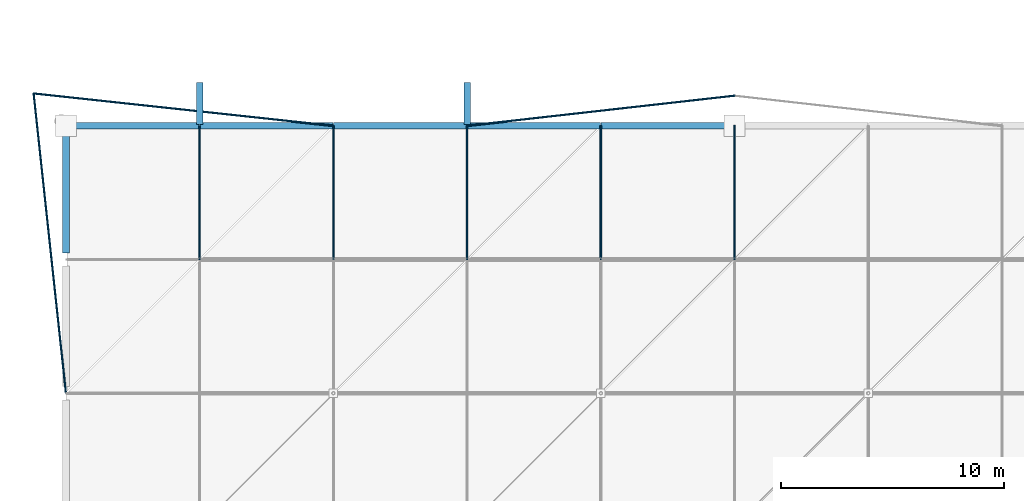
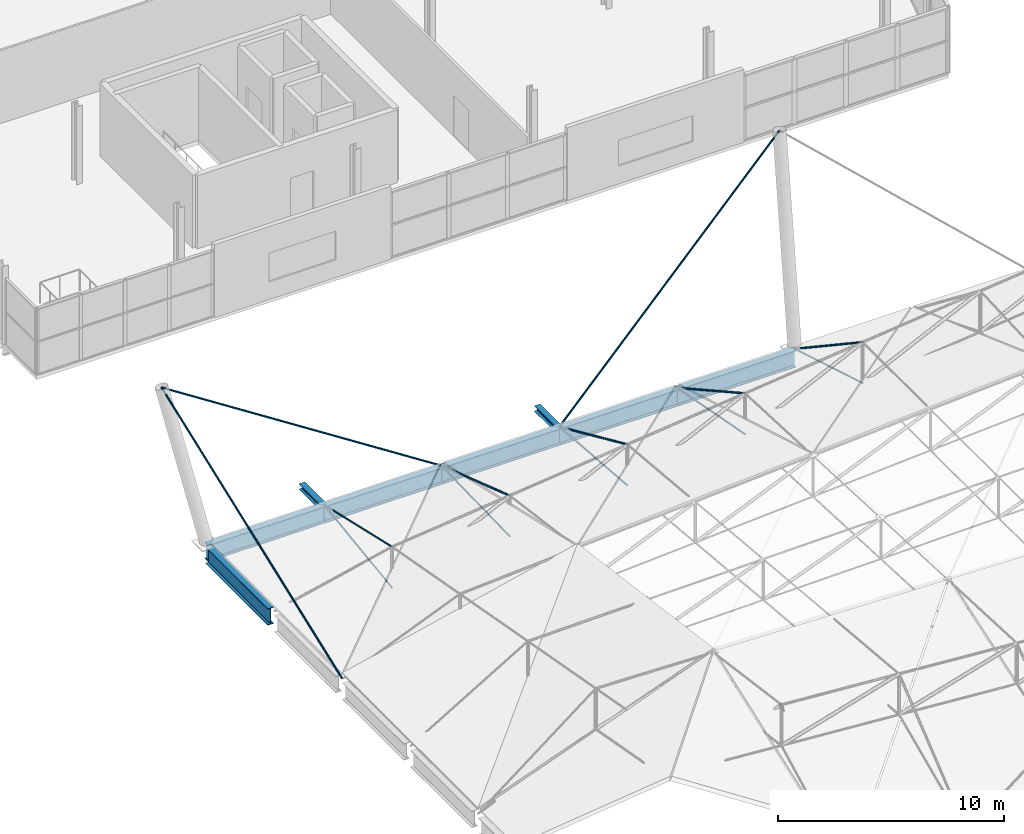
# One storey, part 43 of 132: 13 members, 8 beams.
"""IFC4 building model written with IfcOpenShell, lengths in metres."""

from ifc_helpers import new_model, si_unit, direction, frame, origin, origin_2d, place, context, subcontext, project, spatial, circle, i_section, extrude, material, material_profile, profile_set, type_object, element, save


model = new_model("IFC4")

# Units and contexts
model_context = context("Model", 3, precision=1e-05, world=origin(), true_north=direction((0.0, 1.0)))
body_context = subcontext(model_context, "Body", "Model", "MODEL_VIEW")
ifc_project = project(units=[si_unit("LENGTHUNIT", "METRE"), si_unit("AREAUNIT", "SQUARE_METRE"), si_unit("VOLUMEUNIT", "CUBIC_METRE"), si_unit("PLANEANGLEUNIT", "RADIAN"), si_unit("MASSUNIT", "GRAM", prefix="KILO")], contexts=[model_context])

# Site, building, storey
site_placement = place(None, origin())
site = spatial("IfcSite", under=ifc_project, at=site_placement, CompositionType="ELEMENT")
building_placement = place(site_placement, origin())
building = spatial("IfcBuilding", under=site, at=building_placement, Name="Deido Ridge Mobility Hub", CompositionType="ELEMENT")
storey_placement = place(building_placement, frame((0.0, 0.0, 8.39990234375)))
storey = spatial("IfcBuildingStorey", under=building, at=storey_placement, Name="L02", CompositionType="ELEMENT", Elevation=8.39990234375)

# Beams
ifc_material_1 = material(Name="Steel S355J2 EN 10025-2", Category="steel")
ifc_material_profile_1 = material_profile(ifc_material_1, i_section(OverallWidth=0.300048828125, OverallDepth=0.89990234375, WebThickness=0.0185546875, FlangeThickness=0.034912109375, FilletRadius=0.027099609375, at=origin_2d()), Name="HEB 900")
ifc_profile_set_1 = profile_set([ifc_material_profile_1], Name="Steel S355J2 EN 10025-2")
beam_type_1 = type_object("IfcBeamType", Name="BM-RING-HEB900", PredefinedType="USERDEFINED", material=ifc_profile_set_1)
beam_1_placement = place(storey_placement, frame((0.014892578125, 36.0, -0.449951171875), z_axis=(1.0, 0.0, 0.0), x_axis=(0.0, 1.0, 0.0)))
element("IfcBeam", 1, at=beam_1_placement, inside=storey, type_object=beam_type_1, Name="Compression ring beam RB1", ObjectType="RING BEAM", PredefinedType="USERDEFINED", context=body_context, shape_type="SweptSolid", body=[
    extrude(i_section(OverallWidth=0.300048828125, OverallDepth=0.89990234375, WebThickness=0.0185546875, FlangeThickness=0.034912109375, FilletRadius=0.027099609375, at=origin_2d()), origin(), (0.0, 0.0, 1.0), 5.97705078125),
])
for number, where, z_axis, x_axis, name in (
    (2, (6.008056640625, 36.0, -0.449951171875), (1.0, 0.0, 0.0), (0.0, 1.0, 0.0), "Compression ring beam RB1"),
    (3, (12.008056640625, 36.0, -0.449951171875), (1.0, 0.0, 0.0), (0.0, 1.0, 0.0), "Compression ring beam RB1"),
    (4, (18.008056640625, 36.0, -0.449951171875), (1.0, 0.0, 0.0), (0.0, 1.0, 0.0), "Compression ring beam RB1"),
):
    element("IfcBeam", number, at=place(storey_placement, frame(where, z_axis=z_axis, x_axis=x_axis)), inside=storey, type_object=beam_type_1, Name=name, ObjectType="RING BEAM", PredefinedType="USERDEFINED", context=body_context, shape_type="SweptSolid", body=[
        extrude(i_section(OverallWidth=0.300048828125, OverallDepth=0.89990234375, WebThickness=0.0185546875, FlangeThickness=0.034912109375, FilletRadius=0.027099609375, at=origin_2d()), origin(), (0.0, 0.0, 1.0), 5.98388671875),
    ])
beam_2_placement = place(storey_placement, frame((24.008056640625, 36.0, -0.449951171875), z_axis=(1.0, 0.0, 0.0), x_axis=(0.0, 1.0, 0.0)))
element("IfcBeam", 5, at=beam_2_placement, inside=storey, type_object=beam_type_1, Name="Compression ring beam RB1", ObjectType="RING BEAM", PredefinedType="USERDEFINED", context=body_context, shape_type="SweptSolid", body=[
    extrude(i_section(OverallWidth=0.300048828125, OverallDepth=0.89990234375, WebThickness=0.0185546875, FlangeThickness=0.034912109375, FilletRadius=0.027099609375, at=origin_2d()), origin(), (0.0, 0.0, 1.0), 5.97705078125),
])
beam_3_placement = place(storey_placement, frame((0.0, 30.300048828125, -0.449951171875), z_axis=(0.0, 1.0, 0.0), x_axis=(-1.0, 0.0, 0.0)))
element("IfcBeam", 6, at=beam_3_placement, inside=storey, type_object=beam_type_1, Name="Compression ring beam RB1", ObjectType="RING BEAM", PredefinedType="USERDEFINED", context=body_context, shape_type="SweptSolid", body=[
    extrude(i_section(OverallWidth=0.300048828125, OverallDepth=0.89990234375, WebThickness=0.0185546875, FlangeThickness=0.034912109375, FilletRadius=0.027099609375, at=origin_2d()), origin(), (0.0, 0.0, 1.0), 5.5),
])

# Members
ifc_material_2 = material(Name="Steel S460M EN 10025-4", Category="steel")
ifc_material_profile_2 = material_profile(ifc_material_2, circle(Radius=0.030029296875, at=origin_2d()), Name="CABLE D60")
ifc_profile_set_2 = profile_set([ifc_material_profile_2], Name="Steel S460M EN 10025-4")
member_type_1 = type_object("IfcMemberType", Name="MEM-CBL-D60", PredefinedType="USERDEFINED", material=ifc_profile_set_2)
member_1_placement = place(storey_placement, frame((6.0, 30.0, -0.82666015625), z_axis=(0.0, 0.990641813447, 0.136487352715), x_axis=(-1.0, 0.0, 0.0)))
element("IfcMember", 7, at=member_1_placement, inside=storey, type_object=member_type_1, Name="Saddle transverse valley cable CB3", ObjectType="TENSION CABLE", PredefinedType="USERDEFINED", context=body_context, shape_type="SweptSolid", body=[
    extrude(circle(Radius=0.030029296875, at=origin_2d()), origin(), (0.0, 0.0, 1.0), 6.056640625),
])
member_2_placement = place(storey_placement, frame((12.0, 30.0, -0.169921875), z_axis=(0.0, 0.999599221014, 0.028308962314), x_axis=(-1.0, 0.0, 0.0)))
element("IfcMember", 8, at=member_2_placement, inside=storey, type_object=member_type_1, Name="Saddle transverse valley cable CB3", ObjectType="TENSION CABLE", PredefinedType="USERDEFINED", context=body_context, shape_type="SweptSolid", body=[
    extrude(circle(Radius=0.030029296875, at=origin_2d()), origin(), (0.0, 0.0, 1.0), 6.00244140625),
])
member_3_placement = place(storey_placement, frame((18.0, 30.0, 0.48681640625), z_axis=(0.0, 0.996724631878, -0.080870317219), x_axis=(-1.0, 0.0, 0.0)))
element("IfcMember", 9, at=member_3_placement, inside=storey, type_object=member_type_1, Name="Saddle transverse valley cable CB3", ObjectType="TENSION CABLE", PredefinedType="USERDEFINED", context=body_context, shape_type="SweptSolid", body=[
    extrude(circle(Radius=0.030029296875, at=origin_2d()), origin(), (0.0, 0.0, 1.0), 6.019775390625),
])
member_4_placement = place(storey_placement, frame((24.0, 30.0, 1.143310546875), z_axis=(0.0, 0.982324919476, -0.187183740149), x_axis=(-1.0, 0.0, 0.0)))
element("IfcMember", 10, at=member_4_placement, inside=storey, type_object=member_type_1, Name="Saddle transverse valley cable CB3", ObjectType="TENSION CABLE", PredefinedType="USERDEFINED", context=body_context, shape_type="SweptSolid", body=[
    extrude(circle(Radius=0.030029296875, at=origin_2d()), origin(), (0.0, 0.0, 1.0), 6.10791015625),
])
member_5_placement = place(storey_placement, frame((30.0, 30.0, 1.800048828125), z_axis=(0.0, 0.957824139839, -0.287355036744), x_axis=(-1.0, 0.0, 0.0)))
element("IfcMember", 11, at=member_5_placement, inside=storey, type_object=member_type_1, Name="Saddle transverse valley cable CB3", ObjectType="TENSION CABLE", PredefinedType="USERDEFINED", context=body_context, shape_type="SweptSolid", body=[
    extrude(circle(Radius=0.030029296875, at=origin_2d()), origin(), (0.0, 0.0, 1.0), 6.26416015625),
])
ifc_material_profile_3 = material_profile(ifc_material_2, circle(Radius=0.0380859375, at=origin_2d()), Name="CABLE D76")
ifc_profile_set_3 = profile_set([ifc_material_profile_3], Name="Steel S460M EN 10025-4")
member_type_2 = type_object("IfcMemberType", Name="MEM-CBL-D76", PredefinedType="USERDEFINED", material=ifc_profile_set_3)
member_6_placement = place(storey_placement, frame((6.0, 30.0, 1.373291015625), z_axis=(0.0, 0.974792736312, -0.223112351146), x_axis=(-1.0, 0.0, 0.0)))
element("IfcMember", 12, at=member_6_placement, inside=storey, type_object=member_type_2, Name="Saddle transverse ridge cable CB2", ObjectType="TENSION CABLE", PredefinedType="USERDEFINED", context=body_context, shape_type="SweptSolid", body=[
    extrude(circle(Radius=0.0380859375, at=origin_2d()), origin(), (0.0, 0.0, 1.0), 6.1552734375),
])
member_7_placement = place(storey_placement, frame((12.0, 30.0, 2.030029296875), z_axis=(0.0, 0.947251438111, -0.320491361812), x_axis=(-1.0, 0.0, 0.0)))
element("IfcMember", 13, at=member_7_placement, inside=storey, type_object=member_type_2, Name="Saddle transverse ridge cable CB2", ObjectType="TENSION CABLE", PredefinedType="USERDEFINED", context=body_context, shape_type="SweptSolid", body=[
    extrude(circle(Radius=0.0380859375, at=origin_2d()), origin(), (0.0, 0.0, 1.0), 6.334228515625),
])
member_8_placement = place(storey_placement, frame((18.0, 30.0, 2.686767578125), z_axis=(0.0, 0.912673204533, -0.408690129227), x_axis=(-1.0, 0.0, 0.0)))
element("IfcMember", 14, at=member_8_placement, inside=storey, type_object=member_type_2, Name="Saddle transverse ridge cable CB2", ObjectType="TENSION CABLE", PredefinedType="USERDEFINED", context=body_context, shape_type="SweptSolid", body=[
    extrude(circle(Radius=0.0380859375, at=origin_2d()), origin(), (0.0, 0.0, 1.0), 6.573974609375),
])
member_9_placement = place(storey_placement, frame((24.0, 30.0, 3.343505859375), z_axis=(0.0, 0.873527818237, -0.486774229767), x_axis=(-1.0, 0.0, 0.0)))
element("IfcMember", 15, at=member_9_placement, inside=storey, type_object=member_type_2, Name="Saddle transverse ridge cable CB2", ObjectType="TENSION CABLE", PredefinedType="USERDEFINED", context=body_context, shape_type="SweptSolid", body=[
    extrude(circle(Radius=0.0380859375, at=origin_2d()), origin(), (0.0, 0.0, 1.0), 6.86865234375),
])
member_10_placement = place(storey_placement, frame((30.0, 30.0, 4.0), z_axis=(0.0, 0.832050294338, -0.554700196225), x_axis=(-1.0, 0.0, 0.0)))
element("IfcMember", 16, at=member_10_placement, inside=storey, type_object=member_type_2, Name="Saddle transverse ridge cable CB2", ObjectType="TENSION CABLE", PredefinedType="USERDEFINED", context=body_context, shape_type="SweptSolid", body=[
    extrude(circle(Radius=0.0380859375, at=origin_2d()), origin(), (0.0, 0.0, 1.0), 7.211181640625),
])
ifc_material_profile_4 = material_profile(ifc_material_2, circle(Radius=0.047607421875, at=origin_2d()), Name="CABLE D95")
ifc_profile_set_4 = profile_set([ifc_material_profile_4], Name="Steel S460M EN 10025-4")
member_type_3 = type_object("IfcMemberType", Name="MEM-CBL-D95", PredefinedType="USERDEFINED", material=ifc_profile_set_4)
for number, where, z_axis, x_axis, name in (
    (17, (-1.449951171875, 37.449951171875, 8.050048828125), (0.854405569551, -0.092107870207, -0.511377808441), (0.107182436689, 0.994239370205, 0.0), "Mast M4 stay cable CB1"),
    (18, (-1.449951171875, 37.449951171875, 8.050048828125), (0.092107870207, -0.854405569551, -0.511377808441), (0.994239370205, 0.107182436689, 0.0), "Mast M4 stay cable CB1"),
):
    element("IfcMember", number, at=place(storey_placement, frame(where, z_axis=z_axis, x_axis=x_axis)), inside=storey, type_object=member_type_3, Name=name, ObjectType="TENSION CABLE", PredefinedType="USERDEFINED", context=body_context, shape_type="SweptSolid", body=[
        extrude(circle(Radius=0.047607421875, at=origin_2d()), origin(), (0.0, 0.0, 1.0), 15.741943359375),
    ])
member_11_placement = place(storey_placement, frame((30.0, 37.35009765625, 10.9501953125), z_axis=(-0.736141543271, -0.082821914353, -0.671741139706), x_axis=(0.111802758991, -0.99373041771, 0.0)))
element("IfcMember", 19, at=member_11_placement, inside=storey, type_object=member_type_3, Name="Mast M6 stay cable CB1", ObjectType="TENSION CABLE", PredefinedType="USERDEFINED", context=body_context, shape_type="SweptSolid", body=[
    extrude(circle(Radius=0.047607421875, at=origin_2d()), origin(), (0.0, 0.0, 1.0), 16.30126953125),
])

# Beams
ifc_material_profile_5 = material_profile(ifc_material_1, i_section(OverallWidth=0.300048828125, OverallDepth=0.300048828125, WebThickness=0.010986328125, FlangeThickness=0.01904296875, FilletRadius=0.027099609375, at=origin_2d()), Name="HEB 300")
ifc_profile_set_5 = profile_set([ifc_material_profile_5], Name="Steel S355J2 EN 10025-2")
beam_type_2 = type_object("IfcBeamType", Name="SPD-HEB300", PredefinedType="SPANDREL", material=ifc_profile_set_5)
for number, where, z_axis, x_axis, name in (
    (20, (6.0, 36.050048828125, -0.14990234375), (0.0, 1.0, 0.0), (-1.0, 0.0, 0.0), "Exoskeleton outrigger beam SP1"),
    (21, (18.0, 36.050048828125, -0.14990234375), (0.0, 1.0, 0.0), (-1.0, 0.0, 0.0), "Exoskeleton outrigger beam SP1"),
):
    element("IfcBeam", number, at=place(storey_placement, frame(where, z_axis=z_axis, x_axis=x_axis)), inside=storey, type_object=beam_type_2, Name=name, PredefinedType="SPANDREL", context=body_context, shape_type="SweptSolid", body=[
        extrude(i_section(OverallWidth=0.300048828125, OverallDepth=0.300048828125, WebThickness=0.010986328125, FlangeThickness=0.01904296875, FilletRadius=0.027099609375, at=origin_2d()), origin(), (0.0, 0.0, 1.0), 1.89990234375),
    ])

save(model, "model.ifc")
